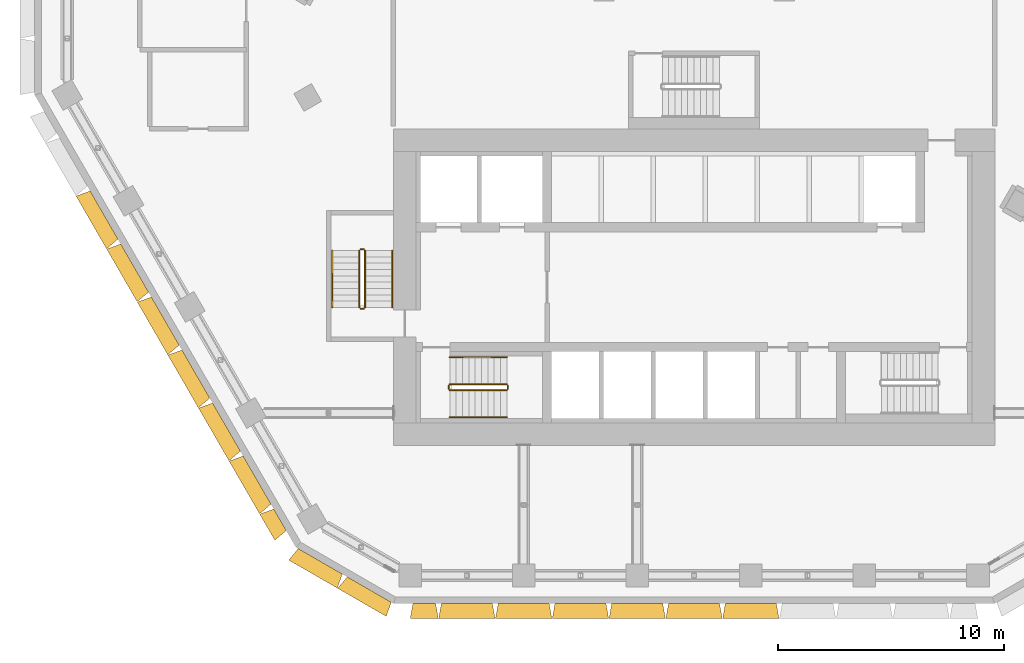
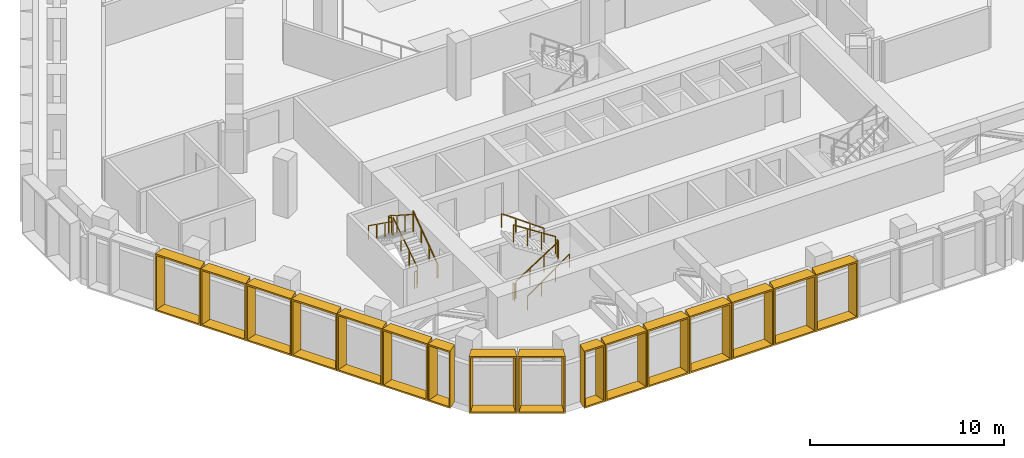
# One storey, part 20 of 23: 16 shading devices, 12 railings.
"""IFC4 building model written with IfcOpenShell, lengths in metres."""

from ifc_helpers import new_model, entity, si_unit, direction, frame, origin, origin_2d, place, context, subcontext, project, spatial, rectangle, extrude, source, transform, mapped, material, type_object, type_shapes, element, save


model = new_model("IFC4")

# Units and contexts
model_context = context("Model", 3, precision=1e-05, world=origin(), true_north=direction((0.0, 1.0)))
body_context = subcontext(model_context, "Body", "Model", "MODEL_VIEW")
ifc_project = project(units=[si_unit("LENGTHUNIT", "METRE"), si_unit("AREAUNIT", "SQUARE_METRE"), si_unit("VOLUMEUNIT", "CUBIC_METRE"), si_unit("PLANEANGLEUNIT", "RADIAN"), si_unit("MASSUNIT", "GRAM", prefix="KILO")], contexts=[model_context])

# Site, building, storey
site_placement = place(None, origin())
site = spatial("IfcSite", under=ifc_project, at=site_placement, CompositionType="ELEMENT")
building_placement = place(site_placement, origin())
building = spatial("IfcBuilding", under=site, at=building_placement, Name="Beryl Residences", CompositionType="ELEMENT")
storey_placement = place(building_placement, frame((0.0, 0.0, 108.0)))
storey = spatial("IfcBuildingStorey", under=building, at=storey_placement, Name="L33", CompositionType="ELEMENT", Elevation=108.0)

# Shading devices
ifc_material_1 = material(Name="Aluminium pale anodised", Category="aluminium")
shading_device_type_1 = type_object("IfcShadingDeviceType", Name="FR126-65A-H36 OUTER SKIN frame 650 mm deep, splay 10/10 deg, 1260 x 3600 mm cell", PredefinedType="USERDEFINED", material=ifc_material_1)
cartesian_point_1 = entity("IfcCartesianPoint", [-0.5048828125, 0.0])
cartesian_point_2 = entity("IfcCartesianPoint", [-0.423828125, 0.10009765625])
cartesian_point_3 = entity("IfcCartesianPoint", [-0.61962890625, 0.0])
cartesian_point_4 = entity("IfcCartesianPoint", [-0.538330078125, 0.10009765625])
shared_shape_1 = source(origin(), body_context, "Body", "SweptSolid", [
    entity("IfcExtrudedAreaSolidTapered", entity("IfcArbitraryProfileDefWithVoids", "AREA", None, entity("IfcPolyline", [cartesian_point_1, entity("IfcCartesianPoint", [0.5048828125, 0.0]), entity("IfcCartesianPoint", [0.5048828125, 3.60009765625]), entity("IfcCartesianPoint", [-0.5048828125, 3.60009765625]), cartesian_point_1]), [entity("IfcPolyline", [cartesian_point_2, entity("IfcCartesianPoint", [0.423828125, 0.10009765625]), entity("IfcCartesianPoint", [0.423828125, 3.5]), entity("IfcCartesianPoint", [-0.423828125, 3.5]), cartesian_point_2])]), entity("IfcAxis2Placement3D", entity("IfcCartesianPoint", [0.0, 0.0, 0.0]), entity("IfcDirection", [0.0, 1.0, 0.0]), entity("IfcDirection", [-1.0, 0.0, 0.0])), entity("IfcDirection", [0.0, 0.0, 1.0]), 0.64990234375, entity("IfcArbitraryProfileDefWithVoids", "AREA", None, entity("IfcPolyline", [cartesian_point_3, entity("IfcCartesianPoint", [0.61962890625, 0.0]), entity("IfcCartesianPoint", [0.61962890625, 3.60009765625]), entity("IfcCartesianPoint", [-0.61962890625, 3.60009765625]), cartesian_point_3]), [entity("IfcPolyline", [cartesian_point_4, entity("IfcCartesianPoint", [0.538330078125, 0.10009765625]), entity("IfcCartesianPoint", [0.538330078125, 3.5]), entity("IfcCartesianPoint", [-0.538330078125, 3.5]), cartesian_point_4])])),
])
type_shapes(shading_device_type_1, [shared_shape_1])
shading_device_1_placement = place(storey_placement, frame((-11.928955078125, -26.0, 0.0), z_axis=(0.0, 0.0, 1.0), x_axis=(-1.0, 0.0, 0.0)))
element("IfcShadingDevice", 1, at=shading_device_1_placement, inside=storey, type_object=shading_device_type_1, Name="FR126-65A-H36 frame L33 S 1", ObjectType="OUTER SKIN", PredefinedType="USERDEFINED", context=body_context, shape_type="MappedRepresentation", body=[
    mapped(shared_shape_1, transform((0.0, 0.0, 0.0))),
])
ifc_material_2 = material(Name="Aluminium pale anodised", Category="aluminium")
shading_device_type_2 = type_object("IfcShadingDeviceType", Name="FR135-65A-H36 OUTER SKIN frame 650 mm deep, splay 10/10 deg, 1350 x 3600 mm cell", PredefinedType="USERDEFINED", material=ifc_material_2)
cartesian_point_5 = entity("IfcCartesianPoint", [-0.550048828125, 0.0])
cartesian_point_6 = entity("IfcCartesianPoint", [-0.46875, 0.10009765625])
cartesian_point_7 = entity("IfcCartesianPoint", [-0.66455078125, 0.0])
cartesian_point_8 = entity("IfcCartesianPoint", [-0.58349609375, 0.10009765625])
shared_shape_2 = source(origin(), body_context, "Body", "SweptSolid", [
    entity("IfcExtrudedAreaSolidTapered", entity("IfcArbitraryProfileDefWithVoids", "AREA", None, entity("IfcPolyline", [cartesian_point_5, entity("IfcCartesianPoint", [0.550048828125, 0.0]), entity("IfcCartesianPoint", [0.550048828125, 3.60009765625]), entity("IfcCartesianPoint", [-0.550048828125, 3.60009765625]), cartesian_point_5]), [entity("IfcPolyline", [cartesian_point_6, entity("IfcCartesianPoint", [0.46875, 0.10009765625]), entity("IfcCartesianPoint", [0.46875, 3.5]), entity("IfcCartesianPoint", [-0.46875, 3.5]), cartesian_point_6])]), entity("IfcAxis2Placement3D", entity("IfcCartesianPoint", [0.0, 0.0, 0.0]), entity("IfcDirection", [0.0, 1.0, 0.0]), entity("IfcDirection", [-1.0, 0.0, 0.0])), entity("IfcDirection", [0.0, 0.0, 1.0]), 0.64990234375, entity("IfcArbitraryProfileDefWithVoids", "AREA", None, entity("IfcPolyline", [cartesian_point_7, entity("IfcCartesianPoint", [0.66455078125, 0.0]), entity("IfcCartesianPoint", [0.66455078125, 3.60009765625]), entity("IfcCartesianPoint", [-0.66455078125, 3.60009765625]), cartesian_point_7]), [entity("IfcPolyline", [cartesian_point_8, entity("IfcCartesianPoint", [0.58349609375, 0.10009765625]), entity("IfcCartesianPoint", [0.58349609375, 3.5]), entity("IfcCartesianPoint", [-0.58349609375, 3.5]), cartesian_point_8])])),
])
type_shapes(shading_device_type_2, [shared_shape_2])
shading_device_2_placement = place(storey_placement, frame((-18.30810546875, -22.2900390625, 0.0), z_axis=(0.0, 0.0, 1.0), x_axis=(-0.5, 0.866025403784, 0.0)))
element("IfcShadingDevice", 2, at=shading_device_2_placement, inside=storey, type_object=shading_device_type_2, Name="FR135-65A-H36 frame L33 SW 9", ObjectType="OUTER SKIN", PredefinedType="USERDEFINED", context=body_context, shape_type="MappedRepresentation", body=[
    mapped(shared_shape_2, transform((0.0, 0.0, 0.0))),
])
ifc_material_3 = material(Name="Aluminium pale anodised", Category="aluminium")
shading_device_type_3 = type_object("IfcShadingDeviceType", Name="FR250-65A-H36 OUTER SKIN frame 650 mm deep, splay 10/10 deg, 2500 x 3600 mm cell", PredefinedType="USERDEFINED", material=ifc_material_3)
cartesian_point_9 = entity("IfcCartesianPoint", [-1.125, 0.0])
cartesian_point_10 = entity("IfcCartesianPoint", [-1.043701171875, 0.10009765625])
cartesian_point_11 = entity("IfcCartesianPoint", [-1.239501953125, 0.0])
cartesian_point_12 = entity("IfcCartesianPoint", [-1.158447265625, 0.10009765625])
shared_shape_3 = source(origin(), body_context, "Body", "SweptSolid", [
    entity("IfcExtrudedAreaSolidTapered", entity("IfcArbitraryProfileDefWithVoids", "AREA", None, entity("IfcPolyline", [cartesian_point_9, entity("IfcCartesianPoint", [1.125, 0.0]), entity("IfcCartesianPoint", [1.125, 3.60009765625]), entity("IfcCartesianPoint", [-1.125, 3.60009765625]), cartesian_point_9]), [entity("IfcPolyline", [cartesian_point_10, entity("IfcCartesianPoint", [1.043701171875, 0.10009765625]), entity("IfcCartesianPoint", [1.043701171875, 3.5]), entity("IfcCartesianPoint", [-1.043701171875, 3.5]), cartesian_point_10])]), entity("IfcAxis2Placement3D", entity("IfcCartesianPoint", [0.0, 0.0, 0.0]), entity("IfcDirection", [0.0, 1.0, 0.0]), entity("IfcDirection", [-1.0, 0.0, 0.0])), entity("IfcDirection", [0.0, 0.0, 1.0]), 0.64990234375, entity("IfcArbitraryProfileDefWithVoids", "AREA", None, entity("IfcPolyline", [cartesian_point_11, entity("IfcCartesianPoint", [1.239501953125, 0.0]), entity("IfcCartesianPoint", [1.239501953125, 3.60009765625]), entity("IfcCartesianPoint", [-1.239501953125, 3.60009765625]), cartesian_point_11]), [entity("IfcPolyline", [cartesian_point_12, entity("IfcCartesianPoint", [1.158447265625, 0.10009765625]), entity("IfcCartesianPoint", [1.158447265625, 3.5]), entity("IfcCartesianPoint", [-1.158447265625, 3.5]), cartesian_point_12])])),
])
type_shapes(shading_device_type_3, [shared_shape_3])
for number, where, z_axis, x_axis, name in (
    (3, (-16.527099609375, -24.125, 0.0), (0.0, 0.0, 1.0), (-0.866025403784, 0.5, 0.0), "FR250-65A-H36 frame L33 SW-S 1"),
    (4, (-14.361083984375, -25.375, 0.0), (0.0, 0.0, 1.0), (-0.866025403784, 0.5, 0.0), "FR250-65A-H36 frame L33 SW-S 2"),
):
    element("IfcShadingDevice", number, at=place(storey_placement, frame(where, z_axis=z_axis, x_axis=x_axis)), inside=storey, type_object=shading_device_type_3, Name=name, ObjectType="OUTER SKIN", PredefinedType="USERDEFINED", context=body_context, shape_type="MappedRepresentation", body=[
        mapped(shared_shape_3, transform((0.0, 0.0, 0.0))),
    ])
ifc_material_4 = material(Name="Aluminium pale anodised", Category="aluminium")
shading_device_type_4 = type_object("IfcShadingDeviceType", Name="FR251-65A-H36 OUTER SKIN frame 650 mm deep, splay 10/10 deg, 2510 x 3600 mm cell", PredefinedType="USERDEFINED", material=ifc_material_4)
cartesian_point_13 = entity("IfcCartesianPoint", [-1.1298828125, 0.0])
cartesian_point_14 = entity("IfcCartesianPoint", [-1.048828125, 0.10009765625])
cartesian_point_15 = entity("IfcCartesianPoint", [-1.24462890625, 0.0])
cartesian_point_16 = entity("IfcCartesianPoint", [-1.163330078125, 0.10009765625])
shared_shape_4 = source(origin(), body_context, "Body", "SweptSolid", [
    entity("IfcExtrudedAreaSolidTapered", entity("IfcArbitraryProfileDefWithVoids", "AREA", None, entity("IfcPolyline", [cartesian_point_13, entity("IfcCartesianPoint", [1.1298828125, 0.0]), entity("IfcCartesianPoint", [1.1298828125, 3.60009765625]), entity("IfcCartesianPoint", [-1.1298828125, 3.60009765625]), cartesian_point_13]), [entity("IfcPolyline", [cartesian_point_14, entity("IfcCartesianPoint", [1.048828125, 0.10009765625]), entity("IfcCartesianPoint", [1.048828125, 3.5]), entity("IfcCartesianPoint", [-1.048828125, 3.5]), cartesian_point_14])]), entity("IfcAxis2Placement3D", entity("IfcCartesianPoint", [0.0, 0.0, 0.0]), entity("IfcDirection", [0.0, 1.0, 0.0]), entity("IfcDirection", [-1.0, 0.0, 0.0])), entity("IfcDirection", [0.0, 0.0, 1.0]), 0.64990234375, entity("IfcArbitraryProfileDefWithVoids", "AREA", None, entity("IfcPolyline", [cartesian_point_15, entity("IfcCartesianPoint", [1.24462890625, 0.0]), entity("IfcCartesianPoint", [1.24462890625, 3.60009765625]), entity("IfcCartesianPoint", [-1.24462890625, 3.60009765625]), cartesian_point_15]), [entity("IfcPolyline", [cartesian_point_16, entity("IfcCartesianPoint", [1.163330078125, 0.10009765625]), entity("IfcCartesianPoint", [1.163330078125, 3.5]), entity("IfcCartesianPoint", [-1.163330078125, 3.5]), cartesian_point_16])])),
])
type_shapes(shading_device_type_4, [shared_shape_4])
for number, where, z_axis, x_axis, name in (
    (5, (-10.0458984375, -26.0, 0.0), (0.0, 0.0, 1.0), (-1.0, 0.0, 0.0), "FR251-65A-H36 frame L33 S 2"),
    (6, (-7.533935546875, -26.0, 0.0), (0.0, 0.0, 1.0), (-1.0, 0.0, 0.0), "FR251-65A-H36 frame L33 S 3"),
    (7, (-5.02197265625, -26.0, 0.0), (0.0, 0.0, 1.0), (-1.0, 0.0, 0.0), "FR251-65A-H36 frame L33 S 4"),
    (8, (-2.510986328125, -26.0, 0.0), (0.0, 0.0, 1.0), (-1.0, 0.0, 0.0), "FR251-65A-H36 frame L33 S 5"),
    (9, (0.0, -26.0, 0.0), (0.0, 0.0, 1.0), (-1.0, 0.0, 0.0), "FR251-65A-H36 frame L33 S 6"),
    (10, (2.511962890625, -26.0, 0.0), (0.0, 0.0, 1.0), (-1.0, 0.0, 0.0), "FR251-65A-H36 frame L33 S 7"),
):
    element("IfcShadingDevice", number, at=place(storey_placement, frame(where, z_axis=z_axis, x_axis=x_axis)), inside=storey, type_object=shading_device_type_4, Name=name, ObjectType="OUTER SKIN", PredefinedType="USERDEFINED", context=body_context, shape_type="MappedRepresentation", body=[
        mapped(shared_shape_4, transform((0.0, 0.0, 0.0))),
    ])
ifc_material_5 = material(Name="Aluminium pale anodised", Category="aluminium")
shading_device_type_5 = type_object("IfcShadingDeviceType", Name="FR271-65A-H36 OUTER SKIN frame 650 mm deep, splay 10/10 deg, 2710 x 3600 mm cell", PredefinedType="USERDEFINED", material=ifc_material_5)
cartesian_point_17 = entity("IfcCartesianPoint", [-1.22998046875, 0.0])
cartesian_point_18 = entity("IfcCartesianPoint", [-1.148681640625, 0.10009765625])
cartesian_point_19 = entity("IfcCartesianPoint", [-1.3447265625, 0.0])
cartesian_point_20 = entity("IfcCartesianPoint", [-1.263427734375, 0.10009765625])
shared_shape_5 = source(origin(), body_context, "Body", "SweptSolid", [
    entity("IfcExtrudedAreaSolidTapered", entity("IfcArbitraryProfileDefWithVoids", "AREA", None, entity("IfcPolyline", [cartesian_point_17, entity("IfcCartesianPoint", [1.22998046875, 0.0]), entity("IfcCartesianPoint", [1.22998046875, 3.60009765625]), entity("IfcCartesianPoint", [-1.22998046875, 3.60009765625]), cartesian_point_17]), [entity("IfcPolyline", [cartesian_point_18, entity("IfcCartesianPoint", [1.148681640625, 0.10009765625]), entity("IfcCartesianPoint", [1.148681640625, 3.5]), entity("IfcCartesianPoint", [-1.148681640625, 3.5]), cartesian_point_18])]), entity("IfcAxis2Placement3D", entity("IfcCartesianPoint", [0.0, 0.0, 0.0]), entity("IfcDirection", [0.0, 1.0, 0.0]), entity("IfcDirection", [-1.0, 0.0, 0.0])), entity("IfcDirection", [0.0, 0.0, 1.0]), 0.64990234375, entity("IfcArbitraryProfileDefWithVoids", "AREA", None, entity("IfcPolyline", [cartesian_point_19, entity("IfcCartesianPoint", [1.3447265625, 0.0]), entity("IfcCartesianPoint", [1.3447265625, 3.60009765625]), entity("IfcCartesianPoint", [-1.3447265625, 3.60009765625]), cartesian_point_19]), [entity("IfcPolyline", [cartesian_point_20, entity("IfcCartesianPoint", [1.263427734375, 0.10009765625]), entity("IfcCartesianPoint", [1.263427734375, 3.5]), entity("IfcCartesianPoint", [-1.263427734375, 3.5]), cartesian_point_20])])),
])
type_shapes(shading_device_type_5, [shared_shape_5])
for number, where, z_axis, x_axis, name in (
    (11, (-26.090087890625, -8.81201171875, 0.0), (0.0, 0.0, 1.0), (-0.5, 0.866025403784, 0.0), "FR271-65A-H36 frame L33 SW 3"),
    (12, (-24.736083984375, -11.156005859375, 0.0), (0.0, 0.0, 1.0), (-0.5, 0.866025403784, 0.0), "FR271-65A-H36 frame L33 SW 4"),
    (13, (-23.383056640625, -13.5, 0.0), (0.0, 0.0, 1.0), (-0.5, 0.866025403784, 0.0), "FR271-65A-H36 frame L33 SW 5"),
    (14, (-22.030029296875, -15.843994140625, 0.0), (0.0, 0.0, 1.0), (-0.5, 0.866025403784, 0.0), "FR271-65A-H36 frame L33 SW 6"),
    (15, (-20.676025390625, -18.18798828125, 0.0), (0.0, 0.0, 1.0), (-0.5, 0.866025403784, 0.0), "FR271-65A-H36 frame L33 SW 7"),
    (16, (-19.322998046875, -20.531982421875, 0.0), (0.0, 0.0, 1.0), (-0.5, 0.866025403784, 0.0), "FR271-65A-H36 frame L33 SW 8"),
):
    element("IfcShadingDevice", number, at=place(storey_placement, frame(where, z_axis=z_axis, x_axis=x_axis)), inside=storey, type_object=shading_device_type_5, Name=name, ObjectType="OUTER SKIN", PredefinedType="USERDEFINED", context=body_context, shape_type="MappedRepresentation", body=[
        mapped(shared_shape_5, transform((0.0, 0.0, 0.0))),
    ])

# Railings
ifc_material_6 = material(Name="Stainless steel balustrade with glass infill", Category="steel")
railing_type_1 = type_object("IfcRailingType", Name="SG1 stair guard 1100 mm", PredefinedType="GUARDRAIL", material=ifc_material_6)
railing_1_placement = place(storey_placement, frame((-10.800048828125, -16.550048828125, 0.179931640625)))
element("IfcRailing", 17, at=railing_1_placement, inside=storey, type_object=railing_type_1, Name="L33 ST-1 stair guard 1", PredefinedType="GUARDRAIL", context=body_context, shape_type="SweptSolid", body=[
    extrude(rectangle(XDim=0.048095703125, YDim=0.048095703125, at=origin_2d()), frame((0.0, 0.0, 1.076171875), z_axis=(0.841162588446, 0.0, 0.540782303519), x_axis=(0.0, 1.0, 0.0)), (0.0, 0.0, 1.0), 2.995849609375),
    extrude(rectangle(XDim=0.0419921875, YDim=0.0419921875, at=origin_2d()), origin(), (0.0, 0.0, 1.0), 1.052001953125),
    extrude(rectangle(XDim=0.0419921875, YDim=0.0419921875, at=origin_2d()), frame((0.840087890625, 0.0, 0.5400390625)), (0.0, 0.0, 1.0), 1.052001953125),
    extrude(rectangle(XDim=0.0419921875, YDim=0.0419921875, at=origin_2d()), frame((1.679931640625, 0.0, 1.080078125)), (0.0, 0.0, 1.0), 1.052001953125),
    extrude(rectangle(XDim=0.0419921875, YDim=0.0419921875, at=origin_2d()), frame((2.52001953125, 0.0, 1.6201171875)), (0.0, 0.0, 1.0), 1.052001953125),
])
railing_2_placement = place(storey_placement, frame((-8.22998046875, -16.5, 1.800048828125)))
element("IfcRailing", 18, at=railing_2_placement, inside=storey, type_object=railing_type_1, Name="L33 ST-1 stair guard 2", PredefinedType="GUARDRAIL", context=body_context, shape_type="SweptSolid", body=[
    extrude(rectangle(XDim=0.048095703125, YDim=0.048095703125, at=origin_2d()), frame((0.0, 0.0, 1.076171875), z_axis=(0.0, 1.0, 0.0), x_axis=(-1.0, 0.0, 0.0)), (0.0, 0.0, 1.0), 0.14990234375),
    extrude(rectangle(XDim=0.0419921875, YDim=0.0419921875, at=origin_2d()), origin(), (0.0, 0.0, 1.0), 1.052001953125),
    extrude(rectangle(XDim=0.0419921875, YDim=0.0419921875, at=origin_2d()), frame((0.0, 0.14990234375, 0.0)), (0.0, 0.0, 1.0), 1.052001953125),
])
railing_3_placement = place(storey_placement, frame((-8.280029296875, -16.300048828125, 1.97998046875)))
element("IfcRailing", 19, at=railing_3_placement, inside=storey, type_object=railing_type_1, Name="L33 ST-1 stair guard 3", PredefinedType="GUARDRAIL", context=body_context, shape_type="SweptSolid", body=[
    extrude(rectangle(XDim=0.048095703125, YDim=0.048095703125, at=origin_2d()), frame((0.0, 0.0, 1.076171875), z_axis=(-0.841162588446, 0.0, 0.540782303519), x_axis=(0.0, -1.0, 0.0)), (0.0, 0.0, 1.0), 2.995849609375),
    extrude(rectangle(XDim=0.0419921875, YDim=0.0419921875, at=origin_2d()), origin(), (0.0, 0.0, 1.0), 1.052001953125),
    extrude(rectangle(XDim=0.0419921875, YDim=0.0419921875, at=origin_2d()), frame((-0.840087890625, 0.0, 0.5400390625)), (0.0, 0.0, 1.0), 1.052001953125),
    extrude(rectangle(XDim=0.0419921875, YDim=0.0419921875, at=origin_2d()), frame((-1.679931640625, 0.0, 1.080078125)), (0.0, 0.0, 1.0), 1.052001953125),
    extrude(rectangle(XDim=0.0419921875, YDim=0.0419921875, at=origin_2d()), frame((-2.52001953125, 0.0, 1.6201171875)), (0.0, 0.0, 1.0), 1.052001953125),
])
railing_4_placement = place(storey_placement, frame((-10.85009765625, -16.5, 0.0)))
element("IfcRailing", 20, at=railing_4_placement, inside=storey, type_object=railing_type_1, Name="L33 ST-1 stair guard 4", PredefinedType="GUARDRAIL", context=body_context, shape_type="SweptSolid", body=[
    extrude(rectangle(XDim=0.048095703125, YDim=0.048095703125, at=origin_2d()), frame((0.0, 0.0, 1.076171875), z_axis=(0.0, 1.0, 0.0), x_axis=(-1.0, 0.0, 0.0)), (0.0, 0.0, 1.0), 0.14990234375),
    extrude(rectangle(XDim=0.0419921875, YDim=0.0419921875, at=origin_2d()), origin(), (0.0, 0.0, 1.0), 1.052001953125),
    extrude(rectangle(XDim=0.0419921875, YDim=0.0419921875, at=origin_2d()), frame((0.0, 0.14990234375, 0.0)), (0.0, 0.0, 1.0), 1.052001953125),
])
railing_5_placement = place(storey_placement, frame((-14.550048828125, -12.89990234375, 0.179931640625)))
element("IfcRailing", 21, at=railing_5_placement, inside=storey, type_object=railing_type_1, Name="L33 ST-2 stair guard 1", PredefinedType="GUARDRAIL", context=body_context, shape_type="SweptSolid", body=[
    extrude(rectangle(XDim=0.048095703125, YDim=0.048095703125, at=origin_2d()), frame((0.0, 0.0, 1.076171875), z_axis=(0.0, 0.841162588446, 0.540782303519), x_axis=(-1.0, 0.0, 0.0)), (0.0, 0.0, 1.0), 2.995849609375),
    extrude(rectangle(XDim=0.0419921875, YDim=0.0419921875, at=origin_2d()), origin(), (0.0, 0.0, 1.0), 1.052001953125),
    extrude(rectangle(XDim=0.0419921875, YDim=0.0419921875, at=origin_2d()), frame((0.0, 0.840087890625, 0.5400390625)), (0.0, 0.0, 1.0), 1.052001953125),
    extrude(rectangle(XDim=0.0419921875, YDim=0.0419921875, at=origin_2d()), frame((0.0, 1.679931640625, 1.080078125)), (0.0, 0.0, 1.0), 1.052001953125),
    extrude(rectangle(XDim=0.0419921875, YDim=0.0419921875, at=origin_2d()), frame((0.0, 2.52001953125, 1.6201171875)), (0.0, 0.0, 1.0), 1.052001953125),
])
railing_6_placement = place(storey_placement, frame((-14.60009765625, -10.330078125, 1.800048828125)))
element("IfcRailing", 22, at=railing_6_placement, inside=storey, type_object=railing_type_1, Name="L33 ST-2 stair guard 2", PredefinedType="GUARDRAIL", context=body_context, shape_type="SweptSolid", body=[
    extrude(rectangle(XDim=0.048095703125, YDim=0.048095703125, at=origin_2d()), frame((0.0, 0.0, 1.076171875), z_axis=(-1.0, 0.0, 0.0), x_axis=(0.0, -1.0, 0.0)), (0.0, 0.0, 1.0), 0.14990234375),
    extrude(rectangle(XDim=0.0419921875, YDim=0.0419921875, at=origin_2d()), origin(), (0.0, 0.0, 1.0), 1.052001953125),
    extrude(rectangle(XDim=0.0419921875, YDim=0.0419921875, at=origin_2d()), frame((-0.14990234375, 0.0, 0.0)), (0.0, 0.0, 1.0), 1.052001953125),
])
railing_7_placement = place(storey_placement, frame((-14.800048828125, -10.3798828125, 1.97998046875)))
element("IfcRailing", 23, at=railing_7_placement, inside=storey, type_object=railing_type_1, Name="L33 ST-2 stair guard 3", PredefinedType="GUARDRAIL", context=body_context, shape_type="SweptSolid", body=[
    extrude(rectangle(XDim=0.048095703125, YDim=0.048095703125, at=origin_2d()), frame((0.0, 0.0, 1.076171875), z_axis=(0.0, -0.841162588446, 0.540782303519), x_axis=(1.0, 0.0, 0.0)), (0.0, 0.0, 1.0), 2.995849609375),
    extrude(rectangle(XDim=0.0419921875, YDim=0.0419921875, at=origin_2d()), origin(), (0.0, 0.0, 1.0), 1.052001953125),
    extrude(rectangle(XDim=0.0419921875, YDim=0.0419921875, at=origin_2d()), frame((0.0, -0.840087890625, 0.5400390625)), (0.0, 0.0, 1.0), 1.052001953125),
    extrude(rectangle(XDim=0.0419921875, YDim=0.0419921875, at=origin_2d()), frame((0.0, -1.679931640625, 1.080078125)), (0.0, 0.0, 1.0), 1.052001953125),
    extrude(rectangle(XDim=0.0419921875, YDim=0.0419921875, at=origin_2d()), frame((0.0, -2.52001953125, 1.6201171875)), (0.0, 0.0, 1.0), 1.052001953125),
])
railing_8_placement = place(storey_placement, frame((-14.60009765625, -12.949951171875, 0.0)))
element("IfcRailing", 24, at=railing_8_placement, inside=storey, type_object=railing_type_1, Name="L33 ST-2 stair guard 4", PredefinedType="GUARDRAIL", context=body_context, shape_type="SweptSolid", body=[
    extrude(rectangle(XDim=0.048095703125, YDim=0.048095703125, at=origin_2d()), frame((0.0, 0.0, 1.076171875), z_axis=(-1.0, 0.0, 0.0), x_axis=(0.0, -1.0, 0.0)), (0.0, 0.0, 1.0), 0.14990234375),
    extrude(rectangle(XDim=0.0419921875, YDim=0.0419921875, at=origin_2d()), origin(), (0.0, 0.0, 1.0), 1.052001953125),
    extrude(rectangle(XDim=0.0419921875, YDim=0.0419921875, at=origin_2d()), frame((-0.14990234375, 0.0, 0.0)), (0.0, 0.0, 1.0), 1.052001953125),
])
ifc_material_7 = material(Name="Stainless steel handrail", Category="steel")
railing_type_2 = type_object("IfcRailingType", Name="SRL1 stair handrail 900 mm", PredefinedType="HANDRAIL", material=ifc_material_7)
railing_9_placement = place(storey_placement, frame((-10.800048828125, -17.75, 0.179931640625)))
element("IfcRailing", 25, at=railing_9_placement, inside=storey, type_object=railing_type_2, Name="L33 ST-1 stair handrail 1", PredefinedType="HANDRAIL", context=body_context, shape_type="SweptSolid", body=[
    extrude(rectangle(XDim=0.048095703125, YDim=0.048095703125, at=origin_2d()), frame((0.0, 0.0, 0.8759765625), z_axis=(0.813728144527, 0.0, 0.581245650998), x_axis=(0.0, 1.0, 0.0)), (0.0, 0.0, 1.0), 3.096923828125),
    extrude(rectangle(XDim=0.0419921875, YDim=0.0419921875, at=origin_2d()), origin(), (0.0, 0.0, 1.0), 0.851806640625),
    extrude(rectangle(XDim=0.0419921875, YDim=0.0419921875, at=origin_2d()), frame((0.840087890625, 0.0, 0.60009765625)), (0.0, 0.0, 1.0), 0.851806640625),
    extrude(rectangle(XDim=0.0419921875, YDim=0.0419921875, at=origin_2d()), frame((1.679931640625, 0.0, 1.199951171875)), (0.0, 0.0, 1.0), 0.851806640625),
    extrude(rectangle(XDim=0.0419921875, YDim=0.0419921875, at=origin_2d()), frame((2.52001953125, 0.0, 1.800048828125)), (0.0, 0.0, 1.0), 0.851806640625),
])
railing_10_placement = place(storey_placement, frame((-8.280029296875, -15.10009765625, 1.97998046875)))
element("IfcRailing", 26, at=railing_10_placement, inside=storey, type_object=railing_type_2, Name="L33 ST-1 stair handrail 2", PredefinedType="HANDRAIL", context=body_context, shape_type="SweptSolid", body=[
    extrude(rectangle(XDim=0.048095703125, YDim=0.048095703125, at=origin_2d()), frame((0.0, 0.0, 0.8759765625), z_axis=(-0.813728144527, 0.0, 0.581245650998), x_axis=(0.0, -1.0, 0.0)), (0.0, 0.0, 1.0), 3.096923828125),
    extrude(rectangle(XDim=0.0419921875, YDim=0.0419921875, at=origin_2d()), origin(), (0.0, 0.0, 1.0), 0.851806640625),
    extrude(rectangle(XDim=0.0419921875, YDim=0.0419921875, at=origin_2d()), frame((-0.840087890625, 0.0, 0.60009765625)), (0.0, 0.0, 1.0), 0.851806640625),
    extrude(rectangle(XDim=0.0419921875, YDim=0.0419921875, at=origin_2d()), frame((-1.679931640625, 0.0, 1.199951171875)), (0.0, 0.0, 1.0), 0.851806640625),
    extrude(rectangle(XDim=0.0419921875, YDim=0.0419921875, at=origin_2d()), frame((-2.52001953125, 0.0, 1.800048828125)), (0.0, 0.0, 1.0), 0.851806640625),
])
railing_11_placement = place(storey_placement, frame((-13.35009765625, -12.89990234375, 0.179931640625)))
element("IfcRailing", 27, at=railing_11_placement, inside=storey, type_object=railing_type_2, Name="L33 ST-2 stair handrail 1", PredefinedType="HANDRAIL", context=body_context, shape_type="SweptSolid", body=[
    extrude(rectangle(XDim=0.048095703125, YDim=0.048095703125, at=origin_2d()), frame((0.0, 0.0, 0.8759765625), z_axis=(0.0, 0.813728144527, 0.581245650998), x_axis=(-1.0, 0.0, 0.0)), (0.0, 0.0, 1.0), 3.096923828125),
    extrude(rectangle(XDim=0.0419921875, YDim=0.0419921875, at=origin_2d()), origin(), (0.0, 0.0, 1.0), 0.851806640625),
    extrude(rectangle(XDim=0.0419921875, YDim=0.0419921875, at=origin_2d()), frame((0.0, 0.840087890625, 0.60009765625)), (0.0, 0.0, 1.0), 0.851806640625),
    extrude(rectangle(XDim=0.0419921875, YDim=0.0419921875, at=origin_2d()), frame((0.0, 1.679931640625, 1.199951171875)), (0.0, 0.0, 1.0), 0.851806640625),
    extrude(rectangle(XDim=0.0419921875, YDim=0.0419921875, at=origin_2d()), frame((0.0, 2.52001953125, 1.800048828125)), (0.0, 0.0, 1.0), 0.851806640625),
])
railing_12_placement = place(storey_placement, frame((-16.0, -10.3798828125, 1.97998046875)))
element("IfcRailing", 28, at=railing_12_placement, inside=storey, type_object=railing_type_2, Name="L33 ST-2 stair handrail 2", PredefinedType="HANDRAIL", context=body_context, shape_type="SweptSolid", body=[
    extrude(rectangle(XDim=0.048095703125, YDim=0.048095703125, at=origin_2d()), frame((0.0, 0.0, 0.8759765625), z_axis=(0.0, -0.813728144527, 0.581245650998), x_axis=(1.0, 0.0, 0.0)), (0.0, 0.0, 1.0), 3.096923828125),
    extrude(rectangle(XDim=0.0419921875, YDim=0.0419921875, at=origin_2d()), origin(), (0.0, 0.0, 1.0), 0.851806640625),
    extrude(rectangle(XDim=0.0419921875, YDim=0.0419921875, at=origin_2d()), frame((0.0, -0.840087890625, 0.60009765625)), (0.0, 0.0, 1.0), 0.851806640625),
    extrude(rectangle(XDim=0.0419921875, YDim=0.0419921875, at=origin_2d()), frame((0.0, -1.679931640625, 1.199951171875)), (0.0, 0.0, 1.0), 0.851806640625),
    extrude(rectangle(XDim=0.0419921875, YDim=0.0419921875, at=origin_2d()), frame((0.0, -2.52001953125, 1.800048828125)), (0.0, 0.0, 1.0), 0.851806640625),
])

save(model, "model.ifc")
